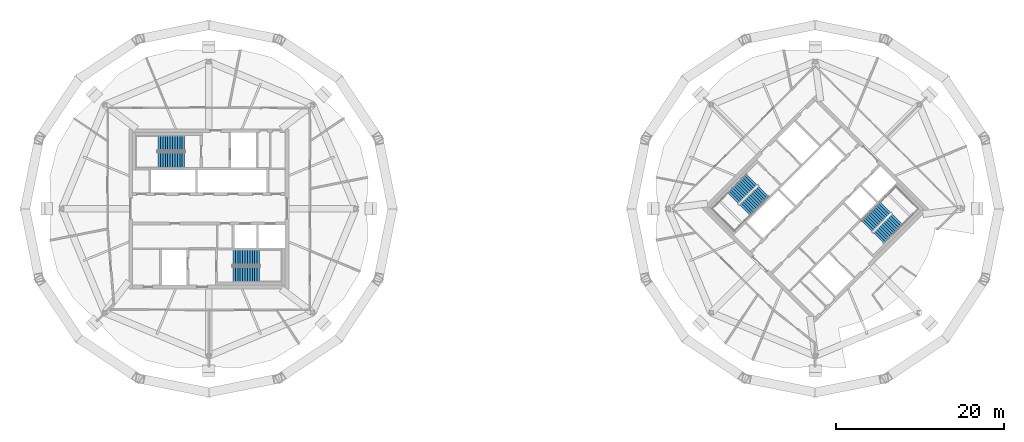
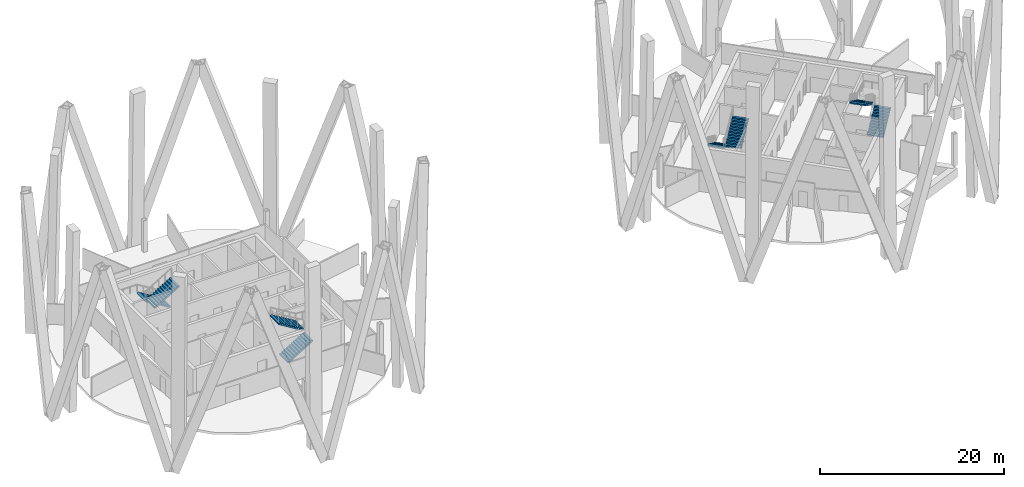
# One storey, part 9 of 11: 8 stair flights, 4 elements without a shape of their own.
"""IFC4 building model written with IfcOpenShell, lengths in metres."""

from ifc_helpers import new_model, si_unit, direction, frame, origin, place, context, subcontext, project, spatial, polyline, outline, extrude, material, type_object, element, aggregate, save


model = new_model("IFC4")

# Units and contexts
model_context = context("Model", 3, precision=1e-05, world=origin(), true_north=direction((0.0, 1.0)))
body_context = subcontext(model_context, "Body", "Model", "MODEL_VIEW")
ifc_project = project(units=[si_unit("LENGTHUNIT", "METRE"), si_unit("AREAUNIT", "SQUARE_METRE"), si_unit("VOLUMEUNIT", "CUBIC_METRE"), si_unit("PLANEANGLEUNIT", "RADIAN"), si_unit("MASSUNIT", "GRAM", prefix="KILO")], contexts=[model_context])

# Site, building, storey
site_placement = place(None, origin())
site = spatial("IfcSite", under=ifc_project, at=site_placement, CompositionType="ELEMENT")
building_placement = place(site_placement, origin())
building = spatial("IfcBuilding", under=site, at=building_placement, Name="Ogive Gate Towers", CompositionType="ELEMENT")
storey_placement = place(building_placement, frame((0.0, 0.0, 273.0)))
storey = spatial("IfcBuildingStorey", under=building, at=storey_placement, Name="L64", CompositionType="ELEMENT", Elevation=273.0)

# Stair, stair flights
ifc_material = material(Name="Concrete C40/50", Category="concrete")
stair_type = type_object("IfcStairType", Name="Escape stair 1840 wide", PredefinedType="HALF_TURN_STAIR", material=ifc_material)
stair_1_placement = place(storey_placement, origin())
stair_1 = element("IfcStair", 1, at=stair_1_placement, inside=storey, type_object=stair_type, Name="L64 Escape stair 1", PredefinedType="HALF_TURN_STAIR")
stair_flight_type = type_object("IfcStairFlightType", Name="Stair flight 1840 wide", PredefinedType="STRAIGHT", material=ifc_material)
stair_flight_1_placement = place(storey_placement, frame((-38.864990234375, 7.780029296875, 0.0), z_axis=(0.0, 0.0, 1.0), x_axis=(-1.0, 0.0, 0.0)))
stair_flight_1 = element("IfcStairFlight", 2, at=stair_flight_1_placement, type_object=stair_flight_type, Name="ST1 flight 1", NumberOfRisers=12, NumberOfTreads=11, PredefinedType="STRAIGHT", RiserHeight=0.175, TreadLength=0.2875, context=body_context, shape_type="SweptSolid", body=[
    extrude(outline(polyline([(0.0, 0.0), (0.0, 0.175048828125), (0.28759765625, 0.175048828125), (0.28759765625, 0.35009765625), (0.574951171875, 0.35009765625), (0.574951171875, 0.52490234375), (0.862548828125, 0.52490234375), (0.862548828125, 0.699951171875), (1.14990234375, 0.699951171875), (1.14990234375, 0.875), (1.4375, 0.875), (1.4375, 1.050048828125), (1.72509765625, 1.050048828125), (1.72509765625, 1.22509765625), (2.012451171875, 1.22509765625), (2.012451171875, 1.39990234375), (2.300048828125, 1.39990234375), (2.300048828125, 1.574951171875), (2.58740234375, 1.574951171875), (2.58740234375, 1.75), (2.875, 1.75), (2.875, 1.925048828125), (3.16259765625, 1.925048828125), (3.16259765625, 2.10009765625), (3.16259765625, 1.74951171875), (0.288330078125, 0.0), (0.0, 0.0)])), frame((0.0, 0.919921875, 0.0), z_axis=(0.0, -1.0, 0.0), x_axis=(1.0, 0.0, 0.0)), (0.0, 0.0, 1.0), 1.840087890625),
])
stair_flight_2_placement = place(storey_placement, frame((-42.027587890625, 5.794921875, 2.10009765625), z_axis=(0.0, 0.0, 1.0), x_axis=(1.0, 0.0, 0.0)))
stair_flight_2 = element("IfcStairFlight", 3, at=stair_flight_2_placement, type_object=stair_flight_type, Name="ST1 flight 2", NumberOfRisers=12, NumberOfTreads=11, PredefinedType="STRAIGHT", RiserHeight=0.175, TreadLength=0.2875, context=body_context, shape_type="SweptSolid", body=[
    extrude(outline(polyline([(0.0, 0.0), (0.0, 0.175048828125), (0.28759765625, 0.175048828125), (0.28759765625, 0.35009765625), (0.574951171875, 0.35009765625), (0.574951171875, 0.52490234375), (0.862548828125, 0.52490234375), (0.862548828125, 0.699951171875), (1.14990234375, 0.699951171875), (1.14990234375, 0.875), (1.4375, 0.875), (1.4375, 1.050048828125), (1.72509765625, 1.050048828125), (1.72509765625, 1.22509765625), (2.012451171875, 1.22509765625), (2.012451171875, 1.39990234375), (2.300048828125, 1.39990234375), (2.300048828125, 1.574951171875), (2.58740234375, 1.574951171875), (2.58740234375, 1.75), (2.875, 1.75), (2.875, 1.925048828125), (3.16259765625, 1.925048828125), (3.16259765625, 2.10009765625), (3.16259765625, 1.74951171875), (0.288330078125, 0.0), (0.0, 0.0)])), frame((0.0, 0.919921875, 0.0), z_axis=(0.0, -1.0, 0.0), x_axis=(1.0, 0.0, 0.0)), (0.0, 0.0, 1.0), 1.840087890625),
])
aggregate(stair_1, [stair_flight_1, stair_flight_2])

stair_2_placement = place(storey_placement, origin())
stair_2 = element("IfcStair", 4, at=stair_2_placement, inside=storey, type_object=stair_type, Name="L64 Escape stair 2", PredefinedType="HALF_TURN_STAIR")
stair_flight_3_placement = place(storey_placement, frame((-33.135009765625, -7.780029296875, 0.0), z_axis=(0.0, 0.0, 1.0), x_axis=(1.0, 0.0, 0.0)))
stair_flight_3 = element("IfcStairFlight", 5, at=stair_flight_3_placement, type_object=stair_flight_type, Name="ST2 flight 1", NumberOfRisers=12, NumberOfTreads=11, PredefinedType="STRAIGHT", RiserHeight=0.175, TreadLength=0.2875, context=body_context, shape_type="SweptSolid", body=[
    extrude(outline(polyline([(0.0, 0.0), (0.0, 0.175048828125), (0.28759765625, 0.175048828125), (0.28759765625, 0.35009765625), (0.574951171875, 0.35009765625), (0.574951171875, 0.52490234375), (0.862548828125, 0.52490234375), (0.862548828125, 0.699951171875), (1.14990234375, 0.699951171875), (1.14990234375, 0.875), (1.4375, 0.875), (1.4375, 1.050048828125), (1.72509765625, 1.050048828125), (1.72509765625, 1.22509765625), (2.012451171875, 1.22509765625), (2.012451171875, 1.39990234375), (2.300048828125, 1.39990234375), (2.300048828125, 1.574951171875), (2.58740234375, 1.574951171875), (2.58740234375, 1.75), (2.875, 1.75), (2.875, 1.925048828125), (3.16259765625, 1.925048828125), (3.16259765625, 2.10009765625), (3.16259765625, 1.74951171875), (0.288330078125, 0.0), (0.0, 0.0)])), frame((0.0, 0.919921875, 0.0), z_axis=(0.0, -1.0, 0.0), x_axis=(1.0, 0.0, 0.0)), (0.0, 0.0, 1.0), 1.840087890625),
])
stair_flight_4_placement = place(storey_placement, frame((-29.972412109375, -5.794921875, 2.10009765625), z_axis=(0.0, 0.0, 1.0), x_axis=(-1.0, 0.0, 0.0)))
stair_flight_4 = element("IfcStairFlight", 6, at=stair_flight_4_placement, type_object=stair_flight_type, Name="ST2 flight 2", NumberOfRisers=12, NumberOfTreads=11, PredefinedType="STRAIGHT", RiserHeight=0.175, TreadLength=0.2875, context=body_context, shape_type="SweptSolid", body=[
    extrude(outline(polyline([(0.0, 0.0), (0.0, 0.175048828125), (0.28759765625, 0.175048828125), (0.28759765625, 0.35009765625), (0.574951171875, 0.35009765625), (0.574951171875, 0.52490234375), (0.862548828125, 0.52490234375), (0.862548828125, 0.699951171875), (1.14990234375, 0.699951171875), (1.14990234375, 0.875), (1.4375, 0.875), (1.4375, 1.050048828125), (1.72509765625, 1.050048828125), (1.72509765625, 1.22509765625), (2.012451171875, 1.22509765625), (2.012451171875, 1.39990234375), (2.300048828125, 1.39990234375), (2.300048828125, 1.574951171875), (2.58740234375, 1.574951171875), (2.58740234375, 1.75), (2.875, 1.75), (2.875, 1.925048828125), (3.16259765625, 1.925048828125), (3.16259765625, 2.10009765625), (3.16259765625, 1.74951171875), (0.288330078125, 0.0), (0.0, 0.0)])), frame((0.0, 0.919921875, 0.0), z_axis=(0.0, -1.0, 0.0), x_axis=(1.0, 0.0, 0.0)), (0.0, 0.0, 1.0), 1.840087890625),
])
aggregate(stair_2, [stair_flight_3, stair_flight_4])

stair_3_placement = place(storey_placement, origin())
stair_3 = element("IfcStair", 7, at=stair_3_placement, inside=storey, type_object=stair_type, Name="L64 Escape stair 1", PredefinedType="HALF_TURN_STAIR")
stair_flight_5_placement = place(storey_placement, frame((28.472900390625, 3.475341796875, 0.0), z_axis=(0.0, 0.0, 1.0), x_axis=(-0.707106781187, -0.707106781187, 0.0)))
stair_flight_5 = element("IfcStairFlight", 8, at=stair_flight_5_placement, type_object=stair_flight_type, Name="ST1 flight 1", NumberOfRisers=12, NumberOfTreads=11, PredefinedType="STRAIGHT", RiserHeight=0.175, TreadLength=0.2875, context=body_context, shape_type="SweptSolid", body=[
    extrude(outline(polyline([(0.0, 0.0), (0.0, 0.175048828125), (0.28759765625, 0.175048828125), (0.28759765625, 0.35009765625), (0.574951171875, 0.35009765625), (0.574951171875, 0.52490234375), (0.862548828125, 0.52490234375), (0.862548828125, 0.699951171875), (1.14990234375, 0.699951171875), (1.14990234375, 0.875), (1.4375, 0.875), (1.4375, 1.050048828125), (1.72509765625, 1.050048828125), (1.72509765625, 1.22509765625), (2.012451171875, 1.22509765625), (2.012451171875, 1.39990234375), (2.300048828125, 1.39990234375), (2.300048828125, 1.574951171875), (2.58740234375, 1.574951171875), (2.58740234375, 1.75), (2.875, 1.75), (2.875, 1.925048828125), (3.16259765625, 1.925048828125), (3.16259765625, 2.10009765625), (3.16259765625, 1.74951171875), (0.288330078125, 0.0), (0.0, 0.0)])), frame((0.0, 0.919921875, 0.0), z_axis=(0.0, -1.0, 0.0), x_axis=(1.0, 0.0, 0.0)), (0.0, 0.0, 1.0), 1.840087890625),
])
stair_flight_6_placement = place(storey_placement, frame((27.64013671875, -0.164306640625, 2.10009765625), z_axis=(0.0, 0.0, 1.0), x_axis=(0.707106781187, 0.707106781187, 0.0)))
stair_flight_6 = element("IfcStairFlight", 9, at=stair_flight_6_placement, type_object=stair_flight_type, Name="ST1 flight 2", NumberOfRisers=12, NumberOfTreads=11, PredefinedType="STRAIGHT", RiserHeight=0.175, TreadLength=0.2875, context=body_context, shape_type="SweptSolid", body=[
    extrude(outline(polyline([(0.0, 0.0), (0.0, 0.175048828125), (0.28759765625, 0.175048828125), (0.28759765625, 0.35009765625), (0.574951171875, 0.35009765625), (0.574951171875, 0.52490234375), (0.862548828125, 0.52490234375), (0.862548828125, 0.699951171875), (1.14990234375, 0.699951171875), (1.14990234375, 0.875), (1.4375, 0.875), (1.4375, 1.050048828125), (1.72509765625, 1.050048828125), (1.72509765625, 1.22509765625), (2.012451171875, 1.22509765625), (2.012451171875, 1.39990234375), (2.300048828125, 1.39990234375), (2.300048828125, 1.574951171875), (2.58740234375, 1.574951171875), (2.58740234375, 1.75), (2.875, 1.75), (2.875, 1.925048828125), (3.16259765625, 1.925048828125), (3.16259765625, 2.10009765625), (3.16259765625, 1.74951171875), (0.288330078125, 0.0), (0.0, 0.0)])), frame((0.0, 0.919921875, 0.0), z_axis=(0.0, -1.0, 0.0), x_axis=(1.0, 0.0, 0.0)), (0.0, 0.0, 1.0), 1.840087890625),
])
aggregate(stair_3, [stair_flight_5, stair_flight_6])

stair_4_placement = place(storey_placement, origin())
stair_4 = element("IfcStair", 10, at=stair_4_placement, inside=storey, type_object=stair_type, Name="L64 Escape stair 2", PredefinedType="HALF_TURN_STAIR")
stair_flight_7_placement = place(storey_placement, frame((43.527099609375, -3.475341796875, 0.0), z_axis=(0.0, 0.0, 1.0), x_axis=(0.707106781187, 0.707106781187, 0.0)))
stair_flight_7 = element("IfcStairFlight", 11, at=stair_flight_7_placement, type_object=stair_flight_type, Name="ST2 flight 1", NumberOfRisers=12, NumberOfTreads=11, PredefinedType="STRAIGHT", RiserHeight=0.175, TreadLength=0.2875, context=body_context, shape_type="SweptSolid", body=[
    extrude(outline(polyline([(0.0, 0.0), (0.0, 0.175048828125), (0.28759765625, 0.175048828125), (0.28759765625, 0.35009765625), (0.574951171875, 0.35009765625), (0.574951171875, 0.52490234375), (0.862548828125, 0.52490234375), (0.862548828125, 0.699951171875), (1.14990234375, 0.699951171875), (1.14990234375, 0.875), (1.4375, 0.875), (1.4375, 1.050048828125), (1.72509765625, 1.050048828125), (1.72509765625, 1.22509765625), (2.012451171875, 1.22509765625), (2.012451171875, 1.39990234375), (2.300048828125, 1.39990234375), (2.300048828125, 1.574951171875), (2.58740234375, 1.574951171875), (2.58740234375, 1.75), (2.875, 1.75), (2.875, 1.925048828125), (3.16259765625, 1.925048828125), (3.16259765625, 2.10009765625), (3.16259765625, 1.74951171875), (0.288330078125, 0.0), (0.0, 0.0)])), frame((0.0, 0.919921875, 0.0), z_axis=(0.0, -1.0, 0.0), x_axis=(1.0, 0.0, 0.0)), (0.0, 0.0, 1.0), 1.840087890625),
])
stair_flight_8_placement = place(storey_placement, frame((44.35986328125, 0.164306640625, 2.10009765625), z_axis=(0.0, 0.0, 1.0), x_axis=(-0.707106781187, -0.707106781187, 0.0)))
stair_flight_8 = element("IfcStairFlight", 12, at=stair_flight_8_placement, type_object=stair_flight_type, Name="ST2 flight 2", NumberOfRisers=12, NumberOfTreads=11, PredefinedType="STRAIGHT", RiserHeight=0.175, TreadLength=0.2875, context=body_context, shape_type="SweptSolid", body=[
    extrude(outline(polyline([(0.0, 0.0), (0.0, 0.175048828125), (0.28759765625, 0.175048828125), (0.28759765625, 0.35009765625), (0.574951171875, 0.35009765625), (0.574951171875, 0.52490234375), (0.862548828125, 0.52490234375), (0.862548828125, 0.699951171875), (1.14990234375, 0.699951171875), (1.14990234375, 0.875), (1.4375, 0.875), (1.4375, 1.050048828125), (1.72509765625, 1.050048828125), (1.72509765625, 1.22509765625), (2.012451171875, 1.22509765625), (2.012451171875, 1.39990234375), (2.300048828125, 1.39990234375), (2.300048828125, 1.574951171875), (2.58740234375, 1.574951171875), (2.58740234375, 1.75), (2.875, 1.75), (2.875, 1.925048828125), (3.16259765625, 1.925048828125), (3.16259765625, 2.10009765625), (3.16259765625, 1.74951171875), (0.288330078125, 0.0), (0.0, 0.0)])), frame((0.0, 0.919921875, 0.0), z_axis=(0.0, -1.0, 0.0), x_axis=(1.0, 0.0, 0.0)), (0.0, 0.0, 1.0), 1.840087890625),
])
aggregate(stair_4, [stair_flight_7, stair_flight_8])

save(model, "model.ifc")
